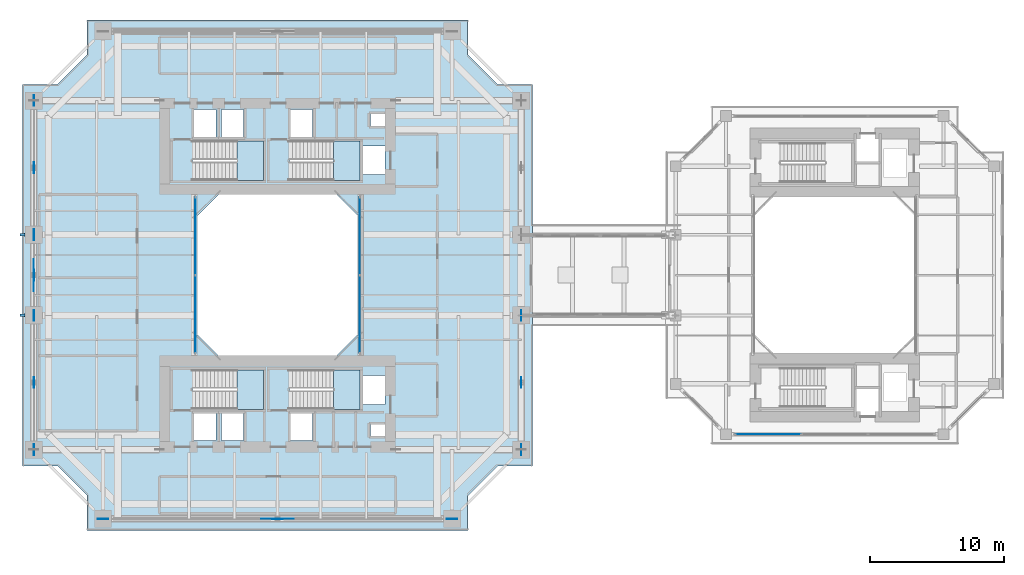
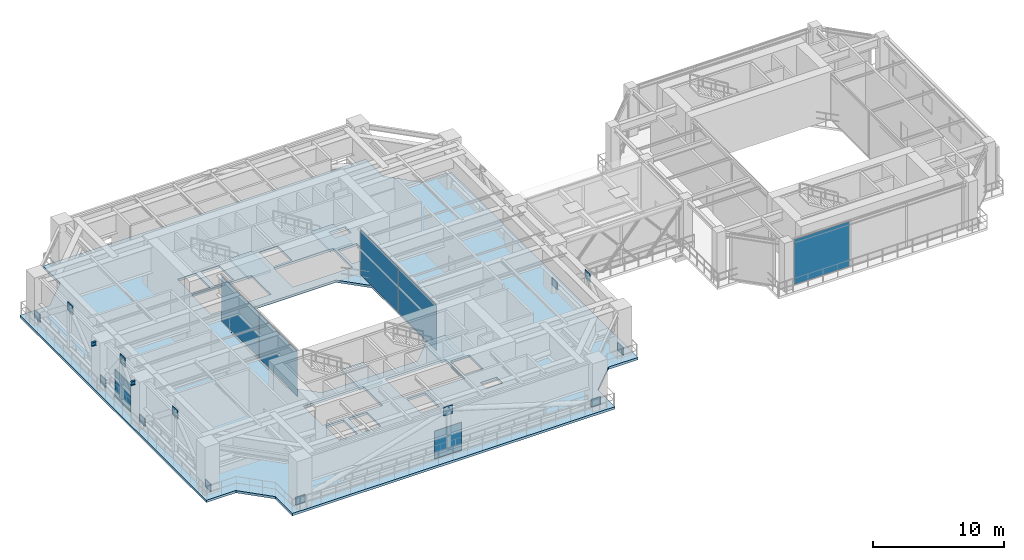
# One storey, part 11 of 25: 20 plates, 5 slabs, 2 beams, 7 elements without a shape of their own.
"""IFC4 building model written with IfcOpenShell, lengths in metres."""

from ifc_helpers import new_model, si_unit, direction, frame, origin, origin_2d, place, context, subcontext, project, spatial, polyline, rectangle, i_section, outline, extrude, source, transform, mapped, material, layer, layer_set, material_profile, profile_set, type_object, element, aggregate, save


model = new_model("IFC4")

# Units and contexts
model_context = context("Model", 3, precision=1e-05, world=origin(), true_north=direction((0.0, 1.0)))
body_context = subcontext(model_context, "Body", "Model", "MODEL_VIEW")
ifc_project = project(units=[si_unit("LENGTHUNIT", "METRE"), si_unit("AREAUNIT", "SQUARE_METRE"), si_unit("VOLUMEUNIT", "CUBIC_METRE"), si_unit("PLANEANGLEUNIT", "RADIAN"), si_unit("MASSUNIT", "GRAM", prefix="KILO"), si_unit("THERMODYNAMICTEMPERATUREUNIT", "KELVIN"), si_unit("POWERUNIT", "WATT")], contexts=[model_context])

# Site, building, storey
site_placement = place(None, origin())
site = spatial("IfcSite", under=ifc_project, at=site_placement, CompositionType="ELEMENT")
building_placement = place(site_placement, origin())
building = spatial("IfcBuilding", under=site, at=building_placement, Name="Qiaomeng Ring Towers", CompositionType="ELEMENT")
storey_placement = place(building_placement, frame((0.0, 0.0, 92.5)))
storey = spatial("IfcBuildingStorey", under=building, at=storey_placement, Name="L26", CompositionType="ELEMENT", Elevation=92.5)

# Beams
ifc_material_1 = material(Name="Steel Q355B", Category="steel")
ifc_material_profile = material_profile(ifc_material_1, i_section(OverallWidth=0.175048828125, OverallDepth=0.35009765625, WebThickness=0.007080078125, FlangeThickness=0.010986328125, FilletRadius=0.013916015625, at=origin_2d()), Name="HN 350x175x7x11")
ifc_profile_set = profile_set([ifc_material_profile], Name="Steel Q355B")
beam_type = type_object("IfcBeamType", Name="STR-BM-HN350", PredefinedType="JOIST", material=ifc_profile_set)
shared_shape_1 = source(origin(), body_context, "Body", "SweptSolid", [
    extrude(i_section(OverallWidth=0.175048828125, OverallDepth=0.35009765625, WebThickness=0.007080078125, FlangeThickness=0.010986328125, FilletRadius=0.013916015625, at=origin_2d()), origin(), (0.0, 0.0, 1.0), 0.380859375),
])
for number, where, z_axis, x_axis, name in (
    (1, (-0.179931640625, 20.0, 4.14501953125), (1.0, 0.0, 0.0), (0.0, 1.0, 0.0), "L26 beam STR-BALBM-L26-W2"),
    (2, (-0.179931640625, 26.0, 4.14501953125), (1.0, 0.0, 0.0), (0.0, 1.0, 0.0), "L26 beam STR-BALBM-L26-W3"),
):
    element("IfcBeam", number, at=place(storey_placement, frame(where, z_axis=z_axis, x_axis=x_axis)), inside=storey, type_object=beam_type, Name=name, PredefinedType="JOIST", context=body_context, shape_type="MappedRepresentation", body=[
        mapped(shared_shape_1, transform((0.0, 0.0, 0.0), x_axis=(1.0, 0.0, 0.0), y_axis=(0.0, 1.0, 0.0), z_axis=(0.0, 0.0, 1.0), scale=1.0)),
    ])

# Slab
ifc_material_2 = material(Name="Concrete C40", Category="concrete")
ifc_layer_1 = layer(ifc_material_2, 0.219970703125, Name="Concrete C40")
ifc_layer_set_1 = layer_set([ifc_layer_1], Name="Concrete C40")
slab_type_1 = type_object("IfcSlabType", Name="STR-SL-220", PredefinedType="FLOOR", material=ifc_layer_set_1)
slab_1_placement = place(storey_placement, frame((0.0, 0.0, -0.219970703125)))
element("IfcSlab", 3, at=slab_1_placement, inside=storey, type_object=slab_type_1, Name="L26 Tower 1 Annular Floor Slab", PredefinedType="FLOOR", context=body_context, shape_type="SweptSolid", body=[
    extrude(outline(polyline([(4.800048828125, 4.0), (33.199951171875, 4.0), (33.199951171875, 6.60009765625), (35.39990234375, 8.800048828125), (38.0, 8.800048828125), (38.0, 37.199951171875), (35.39990234375, 37.199951171875), (33.199951171875, 39.39990234375), (33.199951171875, 42.0), (4.800048828125, 42.0), (4.800048828125, 39.39990234375), (2.60009765625, 37.199951171875), (0.0, 37.199951171875), (0.0, 8.800048828125), (2.60009765625, 8.800048828125), (4.800048828125, 6.60009765625), (4.800048828125, 4.0)]), holes=[polyline([(12.780029296875, 10.679931640625), (12.780029296875, 12.820068359375), (14.419921875, 12.820068359375), (14.419921875, 10.679931640625), (12.780029296875, 10.679931640625)]), polyline([(14.830078125, 12.820068359375), (16.469970703125, 12.820068359375), (16.469970703125, 10.679931640625), (14.830078125, 10.679931640625), (14.830078125, 12.820068359375)]), polyline([(12.679931640625, 15.949951171875), (17.949951171875, 15.949951171875), (17.949951171875, 13.010009765625), (12.679931640625, 13.010009765625), (12.679931640625, 15.949951171875)]), polyline([(25.199951171875, 27.199951171875), (25.199951171875, 18.800048828125), (23.199951171875, 16.800048828125), (14.800048828125, 16.800048828125), (12.800048828125, 18.800048828125), (12.800048828125, 27.199951171875), (14.800048828125, 29.199951171875), (23.199951171875, 29.199951171875), (25.199951171875, 27.199951171875)]), polyline([(12.679931640625, 32.989990234375), (17.949951171875, 32.989990234375), (17.949951171875, 30.050048828125), (12.679931640625, 30.050048828125), (12.679931640625, 32.989990234375)]), polyline([(12.780029296875, 35.320068359375), (14.419921875, 35.320068359375), (14.419921875, 33.179931640625), (12.780029296875, 33.179931640625), (12.780029296875, 35.320068359375)]), polyline([(14.830078125, 35.320068359375), (16.469970703125, 35.320068359375), (16.469970703125, 33.179931640625), (14.830078125, 33.179931640625), (14.830078125, 35.320068359375)]), polyline([(19.97998046875, 35.320068359375), (21.6201171875, 35.320068359375), (21.6201171875, 33.179931640625), (19.97998046875, 33.179931640625), (19.97998046875, 35.320068359375)]), polyline([(25.919921875, 11.89990234375), (27.360107421875, 11.89990234375), (27.360107421875, 11.0), (25.919921875, 11.0), (25.919921875, 11.89990234375)]), polyline([(19.97998046875, 12.820068359375), (21.6201171875, 12.820068359375), (21.6201171875, 10.679931640625), (19.97998046875, 10.679931640625), (19.97998046875, 12.820068359375)]), polyline([(25.360107421875, 15.52001953125), (27.0, 15.52001953125), (27.0, 13.3798828125), (25.360107421875, 13.3798828125), (25.360107421875, 15.52001953125)]), polyline([(19.8798828125, 15.949951171875), (25.14990234375, 15.949951171875), (25.14990234375, 13.010009765625), (19.8798828125, 13.010009765625), (19.8798828125, 15.949951171875)]), polyline([(19.8798828125, 32.989990234375), (25.14990234375, 32.989990234375), (25.14990234375, 30.050048828125), (19.8798828125, 30.050048828125), (19.8798828125, 32.989990234375)]), polyline([(25.360107421875, 32.6201171875), (27.0, 32.6201171875), (27.0, 30.47998046875), (25.360107421875, 30.47998046875), (25.360107421875, 32.6201171875)]), polyline([(25.919921875, 35.0), (27.360107421875, 35.0), (27.360107421875, 34.10009765625), (25.919921875, 34.10009765625), (25.919921875, 35.0)])]), origin(), (0.0, 0.0, 1.0), 0.219970703125),
])

# Stair, slab
ifc_material_3 = material(Name="Precast concrete C40", Category="concrete")
stair_type = type_object("IfcStairType", Name="ARC-ST-450", PredefinedType="HALF_TURN_STAIR", material=ifc_material_3)
stair_1_placement = place(storey_placement, origin())
stair_1 = element("IfcStair", 4, at=stair_1_placement, inside=storey, type_object=stair_type, Name="L26 Tower 1 North Stair 1", PredefinedType="HALF_TURN_STAIR")
ifc_layer_2 = layer(ifc_material_2, 0.199951171875, Name="Concrete C40")
ifc_layer_set_2 = layer_set([ifc_layer_2], Name="Concrete C40")
slab_type_2 = type_object("IfcSlabType", Name="STR-SL-LANDING", PredefinedType="LANDING", material=ifc_layer_set_2)
slab_2_placement = place(storey_placement, frame((0.0, 0.0, 2.050048828125)))
slab_2 = element("IfcSlab", 5, at=slab_2_placement, type_object=slab_type_2, Name="ST1 landing 1", PredefinedType="LANDING", context=body_context, shape_type="SweptSolid", body=[
    extrude(outline(polyline([(15.97998046875, 30.050048828125), (17.949951171875, 30.050048828125), (17.949951171875, 32.989990234375), (15.97998046875, 32.989990234375), (15.97998046875, 30.050048828125)])), origin(), (0.0, 0.0, 1.0), 0.199951171875),
])
aggregate(stair_1, [slab_2])

stair_2_placement = place(storey_placement, origin())
stair_2 = element("IfcStair", 6, at=stair_2_placement, inside=storey, type_object=stair_type, Name="L26 Tower 1 North Stair 2", PredefinedType="HALF_TURN_STAIR")
slab_3_placement = place(storey_placement, frame((0.0, 0.0, 2.050048828125)))
slab_3 = element("IfcSlab", 7, at=slab_3_placement, type_object=slab_type_2, Name="ST2 landing 1", PredefinedType="LANDING", context=body_context, shape_type="SweptSolid", body=[
    extrude(outline(polyline([(23.179931640625, 30.050048828125), (25.14990234375, 30.050048828125), (25.14990234375, 32.989990234375), (23.179931640625, 32.989990234375), (23.179931640625, 30.050048828125)])), origin(), (0.0, 0.0, 1.0), 0.199951171875),
])
aggregate(stair_2, [slab_3])

stair_3_placement = place(storey_placement, origin())
stair_3 = element("IfcStair", 8, at=stair_3_placement, inside=storey, type_object=stair_type, Name="L26 Tower 1 South Stair 3", PredefinedType="HALF_TURN_STAIR")
slab_4_placement = place(storey_placement, frame((0.0, 0.0, 2.050048828125)))
slab_4 = element("IfcSlab", 9, at=slab_4_placement, type_object=slab_type_2, Name="ST3 landing 1", PredefinedType="LANDING", context=body_context, shape_type="SweptSolid", body=[
    extrude(outline(polyline([(15.97998046875, 13.010009765625), (17.949951171875, 13.010009765625), (17.949951171875, 15.949951171875), (15.97998046875, 15.949951171875), (15.97998046875, 13.010009765625)])), origin(), (0.0, 0.0, 1.0), 0.199951171875),
])
aggregate(stair_3, [slab_4])

stair_4_placement = place(storey_placement, origin())
stair_4 = element("IfcStair", 10, at=stair_4_placement, inside=storey, type_object=stair_type, Name="L26 Tower 1 South Stair 4", PredefinedType="HALF_TURN_STAIR")
slab_5_placement = place(storey_placement, frame((0.0, 0.0, 2.050048828125)))
slab_5 = element("IfcSlab", 11, at=slab_5_placement, type_object=slab_type_2, Name="ST4 landing 1", PredefinedType="LANDING", context=body_context, shape_type="SweptSolid", body=[
    extrude(outline(polyline([(23.179931640625, 13.010009765625), (25.14990234375, 13.010009765625), (25.14990234375, 15.949951171875), (23.179931640625, 15.949951171875), (23.179931640625, 13.010009765625)])), origin(), (0.0, 0.0, 1.0), 0.199951171875),
])
aggregate(stair_4, [slab_5])

# Plates
ifc_material_4 = material(Name="Steel Q390GJC", Category="steel")
ifc_layer_3 = layer(ifc_material_4, 0.031982421875, Name="Steel Q390GJC")
ifc_layer_set_3 = layer_set([ifc_layer_3], Name="Steel Q390GJC")
plate_type_1 = type_object("IfcPlateType", Name="STR-PL-GUSSET", PredefinedType="USERDEFINED", material=ifc_layer_set_3)
shared_shape_2 = source(origin(), body_context, "Body", "SweptSolid", [
    extrude(rectangle(XDim=0.800048828125, YDim=0.031982421875, at=origin_2d()), origin(), (0.0, 0.0, 1.0), 0.800048828125),
])
for number, where, z_axis, x_axis, name in (
    (12, (19.0, 4.85009765625, 3.72021484375), (0.0, 0.0, 1.0), (1.0, 0.0, 0.0), "L26 Belt Truss Node Gusset Plate 1-APX"),
    (13, (6.0, 4.85009765625, -0.080078125), (0.0, 0.0, 1.0), (1.0, 0.0, 0.0), "L26 Belt Truss Node Gusset Plate 1-N1"),
    (14, (32.0, 4.85009765625, -0.080078125), (0.0, 0.0, 1.0), (1.0, 0.0, 0.0), "L26 Belt Truss Node Gusset Plate 1-N2"),
    (15, (37.14990234375, 15.0, 3.72021484375), (0.0, 0.0, 1.0), (0.0, 1.0, 0.0), "L26 Belt Truss Node Gusset Plate 2-APX"),
    (16, (37.14990234375, 10.0, -0.080078125), (0.0, 0.0, 1.0), (0.0, 1.0, 0.0), "L26 Belt Truss Node Gusset Plate 2-N1"),
    (17, (37.14990234375, 20.0, -0.080078125), (0.0, 0.0, 1.0), (0.0, 1.0, 0.0), "L26 Belt Truss Node Gusset Plate 2-N2"),
    (18, (0.85009765625, 31.0, 3.72021484375), (0.0, 0.0, 1.0), (0.0, -1.0, 0.0), "L26 Belt Truss Node Gusset Plate 6-APX"),
    (19, (0.85009765625, 36.0, -0.080078125), (0.0, 0.0, 1.0), (0.0, -1.0, 0.0), "L26 Belt Truss Node Gusset Plate 6-N1"),
    (20, (0.85009765625, 26.0, -0.080078125), (0.0, 0.0, 1.0), (0.0, -1.0, 0.0), "L26 Belt Truss Node Gusset Plate 6-N2"),
    (21, (0.85009765625, 23.0, 3.72021484375), (0.0, 0.0, 1.0), (0.0, -1.0, 0.0), "L26 Belt Truss Node Gusset Plate 7-APX"),
    (22, (0.85009765625, 20.0, -0.080078125), (0.0, 0.0, 1.0), (0.0, -1.0, 0.0), "L26 Belt Truss Node Gusset Plate 7-N2"),
    (23, (0.85009765625, 15.0, 3.72021484375), (0.0, 0.0, 1.0), (0.0, -1.0, 0.0), "L26 Belt Truss Node Gusset Plate 8-APX"),
    (24, (0.85009765625, 10.0, -0.080078125), (0.0, 0.0, 1.0), (0.0, -1.0, 0.0), "L26 Belt Truss Node Gusset Plate 8-N2"),
):
    element("IfcPlate", number, at=place(storey_placement, frame(where, z_axis=z_axis, x_axis=x_axis)), inside=storey, type_object=plate_type_1, Name=name, ObjectType="GUSSET PLATE", PredefinedType="USERDEFINED", context=body_context, shape_type="MappedRepresentation", body=[
        mapped(shared_shape_2, transform((0.0, 0.0, 0.0), x_axis=(1.0, 0.0, 0.0), y_axis=(0.0, 1.0, 0.0), z_axis=(0.0, 0.0, 1.0), scale=1.0)),
    ])

# Curtain wall, plates
ifc_material_5 = material(Name="Fluorocarbon dark-grey aluminium", Category="aluminium")
ifc_layer_4 = layer(ifc_material_5, 0.139892578125, Name="Fluorocarbon dark-grey aluminium")
ifc_layer_set_4 = layer_set([ifc_layer_4], Name="Fluorocarbon dark-grey aluminium")
curtain_wall_type_1 = type_object("IfcCurtainWallType", Name="ARC-CW-4", PredefinedType="NOTDEFINED", material=ifc_layer_set_4)
curtain_wall_1_placement = place(storey_placement, origin())
curtain_wall_1 = element("IfcCurtainWall", 25, at=curtain_wall_1_placement, inside=storey, type_object=curtain_wall_type_1, Name="L26 Curtain Wall CW4", PredefinedType="NOTDEFINED")
ifc_material_6 = material(Name="Low-E dark-grey laminated double glazing", Category="glass")
ifc_layer_5 = layer(ifc_material_6, 0.028076171875, Name="Low-E dark-grey laminated double glazing")
ifc_layer_set_5 = layer_set([ifc_layer_5], Name="Low-E dark-grey laminated double glazing")
plate_type_2 = type_object("IfcPlateType", Name="ARC-CWP-DARK", PredefinedType="CURTAIN_PANEL", material=ifc_layer_set_5)
shared_shape_3 = source(origin(), body_context, "Body", "SweptSolid", [
    extrude(rectangle(XDim=5.75244140625, YDim=0.028076171875, at=origin_2d()), origin(), (0.0, 0.0, 1.0), 4.18994140625),
])
plate_1_placement = place(storey_placement, frame((12.8798828125, 20.09130859375, 0.06494140625), z_axis=(0.0, 0.0, 1.0), x_axis=(0.0, 1.0, 0.0)))
plate_1 = element("IfcPlate", 26, at=plate_1_placement, type_object=plate_type_2, Name="CW4 panel 1.1", PredefinedType="CURTAIN_PANEL", context=body_context, shape_type="MappedRepresentation", body=[
    mapped(shared_shape_3, transform((0.0, 0.0, 0.0), x_axis=(1.0, 0.0, 0.0), y_axis=(0.0, 1.0, 0.0), z_axis=(0.0, 0.0, 1.0), scale=1.0)),
])
plate_2_placement = place(storey_placement, frame((12.8798828125, 25.90869140625, 0.06494140625), z_axis=(0.0, 0.0, 1.0), x_axis=(0.0, 1.0, 0.0)))
plate_2 = element("IfcPlate", 27, at=plate_2_placement, type_object=plate_type_2, Name="CW4 panel 2.1", PredefinedType="CURTAIN_PANEL", context=body_context, shape_type="MappedRepresentation", body=[
    mapped(shared_shape_3, transform((0.0, 0.0, 0.0), x_axis=(1.0, 0.0, 0.0), y_axis=(0.0, 1.0, 0.0), z_axis=(0.0, 0.0, 1.0), scale=1.0)),
])
aggregate(curtain_wall_1, [plate_1, plate_2])

curtain_wall_2_placement = place(storey_placement, origin())
curtain_wall_2 = element("IfcCurtainWall", 28, at=curtain_wall_2_placement, inside=storey, type_object=curtain_wall_type_1, Name="L26 Curtain Wall CW4", PredefinedType="NOTDEFINED")
plate_3_placement = place(storey_placement, frame((25.1201171875, 20.09130859375, 0.06494140625), z_axis=(0.0, 0.0, 1.0), x_axis=(0.0, 1.0, 0.0)))
plate_3 = element("IfcPlate", 29, at=plate_3_placement, type_object=plate_type_2, Name="CW4 panel 1.1", PredefinedType="CURTAIN_PANEL", context=body_context, shape_type="MappedRepresentation", body=[
    mapped(shared_shape_3, transform((0.0, 0.0, 0.0), x_axis=(1.0, 0.0, 0.0), y_axis=(0.0, 1.0, 0.0), z_axis=(0.0, 0.0, 1.0), scale=1.0)),
])
plate_4_placement = place(storey_placement, frame((25.1201171875, 25.90869140625, 0.06494140625), z_axis=(0.0, 0.0, 1.0), x_axis=(0.0, 1.0, 0.0)))
plate_4 = element("IfcPlate", 30, at=plate_4_placement, type_object=plate_type_2, Name="CW4 panel 2.1", PredefinedType="CURTAIN_PANEL", context=body_context, shape_type="MappedRepresentation", body=[
    mapped(shared_shape_3, transform((0.0, 0.0, 0.0), x_axis=(1.0, 0.0, 0.0), y_axis=(0.0, 1.0, 0.0), z_axis=(0.0, 0.0, 1.0), scale=1.0)),
])
aggregate(curtain_wall_2, [plate_3, plate_4])

# Plates
ifc_material_7 = material(Name="Stainless steel 316", Category="steel")
ifc_layer_6 = layer(ifc_material_7, 0.011962890625, Name="Stainless steel 316")
ifc_layer_set_6 = layer_set([ifc_layer_6], Name="Stainless steel 316")
plate_type_3 = type_object("IfcPlateType", Name="ARC-PL-SCREEN", PredefinedType="SHEET", material=ifc_layer_set_6)
shared_shape_4 = source(origin(), body_context, "Body", "SweptSolid", [
    extrude(rectangle(XDim=2.39990234375, YDim=0.011962890625, at=origin_2d()), origin(), (0.0, 0.0, 1.0), 2.60009765625),
])
for number, where, z_axis, x_axis, name in (
    (31, (19.0, 4.85009765625, 0.0), (0.0, 0.0, 1.0), (1.0, 0.0, 0.0), "L26 Perforated Refuge Wind Screen S"),
    (32, (0.85009765625, 23.0, 0.0), (0.0, 0.0, 1.0), (0.0, -1.0, 0.0), "L26 Perforated Refuge Wind Screen W"),
):
    element("IfcPlate", number, at=place(storey_placement, frame(where, z_axis=z_axis, x_axis=x_axis)), inside=storey, type_object=plate_type_3, Name=name, PredefinedType="SHEET", context=body_context, shape_type="MappedRepresentation", body=[
        mapped(shared_shape_4, transform((0.0, 0.0, 0.0), x_axis=(1.0, 0.0, 0.0), y_axis=(0.0, 1.0, 0.0), z_axis=(0.0, 0.0, 1.0), scale=1.0)),
    ])

# Curtain wall, plate
ifc_layer_7 = layer(ifc_material_5, 0.14990234375, Name="Fluorocarbon dark-grey aluminium")
ifc_layer_set_7 = layer_set([ifc_layer_7], Name="Fluorocarbon dark-grey aluminium")
curtain_wall_type_2 = type_object("IfcCurtainWallType", Name="ARC-CW-5", PredefinedType="NOTDEFINED", material=ifc_layer_set_7)
curtain_wall_3_placement = place(storey_placement, origin())
curtain_wall_3 = element("IfcCurtainWall", 33, at=curtain_wall_3_placement, inside=storey, type_object=curtain_wall_type_2, Name="L26 Curtain Wall CW5", PredefinedType="NOTDEFINED")
shared_shape_5 = source(origin(), body_context, "Body", "SweptSolid", [
    extrude(rectangle(XDim=4.868408203125, YDim=0.028076171875, at=origin_2d()), origin(), (0.0, 0.0, 1.0), 4.18994140625),
])
plate_5_placement = place(storey_placement, frame((55.544189453125, 11.14990234375, 0.06494140625), z_axis=(0.0, 0.0, 1.0), x_axis=(1.0, 0.0, 0.0)))
plate_5 = element("IfcPlate", 34, at=plate_5_placement, type_object=plate_type_2, Name="CW5 panel 1.1", PredefinedType="CURTAIN_PANEL", context=body_context, shape_type="MappedRepresentation", body=[
    mapped(shared_shape_5, transform((0.0, 0.0, 0.0), x_axis=(1.0, 0.0, 0.0), y_axis=(0.0, 1.0, 0.0), z_axis=(0.0, 0.0, 1.0), scale=1.0)),
])
aggregate(curtain_wall_3, [plate_5])

save(model, "model.ifc")
